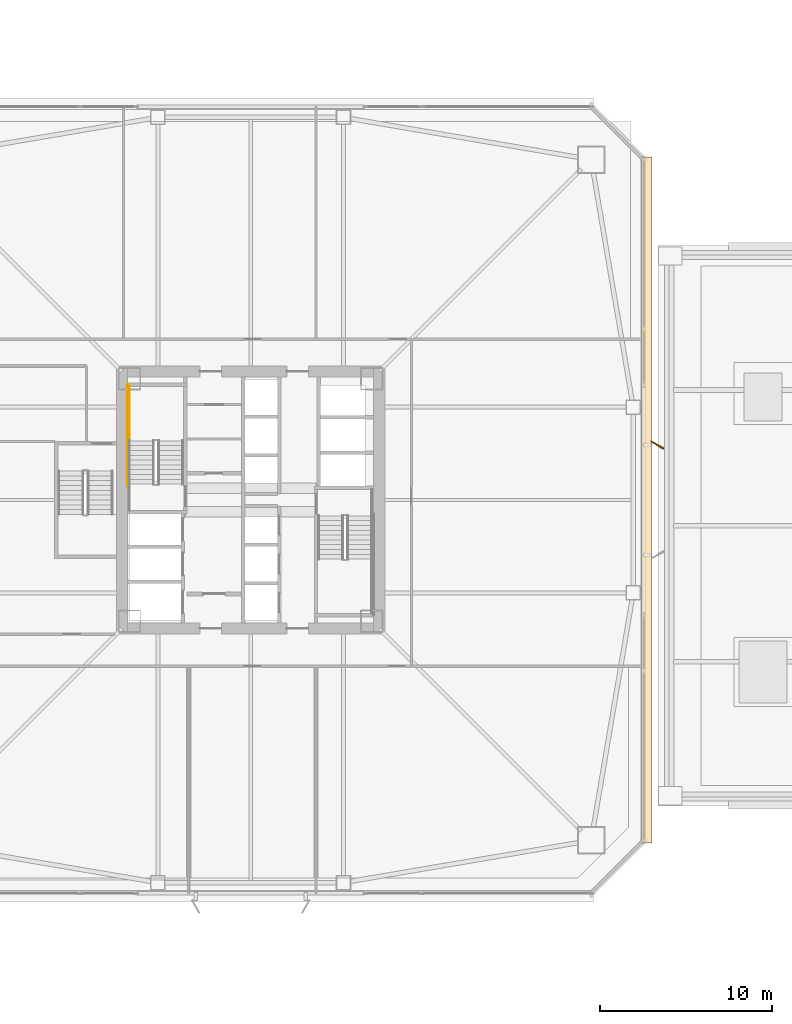
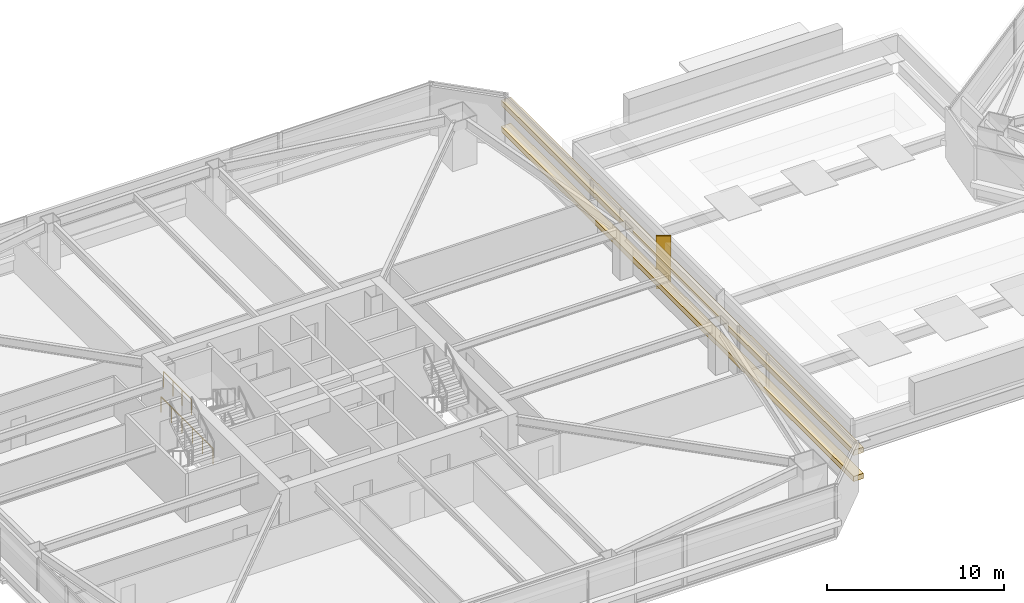
# One storey, part 55 of 62: 2 coverings, 2 railings, 1 shading device.
"""IFC4 building model written with IfcOpenShell, lengths in metres."""

from ifc_helpers import new_model, si_unit, direction, frame, origin, origin_2d, place, context, subcontext, project, spatial, rectangle, extrude, material, layer, layer_set, type_object, element, save


model = new_model("IFC4")

# Units and contexts
model_context = context("Model", 3, precision=1e-05, world=origin(), true_north=direction((0.0, 1.0)))
body_context = subcontext(model_context, "Body", "Model", "MODEL_VIEW")
ifc_project = project(units=[si_unit("LENGTHUNIT", "METRE"), si_unit("AREAUNIT", "SQUARE_METRE"), si_unit("VOLUMEUNIT", "CUBIC_METRE"), si_unit("PLANEANGLEUNIT", "RADIAN"), si_unit("MASSUNIT", "GRAM", prefix="KILO")], contexts=[model_context])

# Site, building, storey
site_placement = place(None, origin())
site = spatial("IfcSite", under=ifc_project, at=site_placement, CompositionType="ELEMENT")
building_placement = place(site_placement, origin())
building = spatial("IfcBuilding", under=site, at=building_placement, Name="Tashvorn Skyway Center", CompositionType="ELEMENT")
storey_placement = place(building_placement, frame((0.0, 0.0, 28.14990234375)))
storey = spatial("IfcBuildingStorey", under=building, at=storey_placement, Name="L06", CompositionType="ELEMENT", Elevation=28.14990234375)

# Coverings
ifc_material_1 = material(Name="Perforated ceramic-coated bronze aluminium solar screen", Category="aluminium")
ifc_layer_1 = layer(ifc_material_1, 0.85009765625)
ifc_layer_set_1 = layer_set([ifc_layer_1], Name="Perforated ceramic-coated bronze aluminium solar screen")
covering_type = type_object("IfcCoveringType", Name="COV-SOLAR-BAND", PredefinedType="CLADDING", material=ifc_layer_set_1)
for number, where, z_axis, x_axis, name in (
    (1, (65.02001953125, 32.0, 0.919921875), (0.0, 0.0, 1.0), (0.0, -1.0, 0.0), "L06 Perforated Ceramic-Metal Solar Screen Louvre Band East 1"),
    (2, (65.02001953125, 32.0, 2.72021484375), (0.0, 0.0, 1.0), (0.0, -1.0, 0.0), "L06 Perforated Ceramic-Metal Solar Screen Louvre Band East 2"),
):
    element("IfcCovering", number, at=place(storey_placement, frame(where, z_axis=z_axis, x_axis=x_axis)), inside=storey, type_object=covering_type, Name=name, PredefinedType="CLADDING", context=body_context, shape_type="SweptSolid", body=[
        extrude(rectangle(XDim=39.8798828125, YDim=0.639892578125, at=origin_2d()), origin(), (0.0, 0.0, 1.0), 0.360107421875),
    ])

# Railings
ifc_material_2 = material(Name="Painted galvanized steel S355", Category="steel")
railing_type = type_object("IfcRailingType", Name="RAIL-STGUARD-1100", PredefinedType="GUARDRAIL", material=ifc_material_2)
railing_1_placement = place(storey_placement, frame((34.949951171875, 35.43994140625, 1.775146484375)))
element("IfcRailing", 3, at=railing_1_placement, inside=storey, type_object=railing_type, Name="L06 ST-T1-1 stair guard 3", PredefinedType="GUARDRAIL", context=body_context, shape_type="SweptSolid", body=[
    extrude(rectangle(XDim=0.048095703125, YDim=0.048095703125, at=origin_2d()), frame((0.0, 0.0, 1.076171875), z_axis=(0.0, 1.0, 0.0), x_axis=(-1.0, 0.0, 0.0)), (0.0, 0.0, 1.0), 3.16015625),
    extrude(rectangle(XDim=0.0419921875, YDim=0.0419921875, at=origin_2d()), origin(), (0.0, 0.0, 1.0), 1.052001953125),
    extrude(rectangle(XDim=0.0419921875, YDim=0.0419921875, at=origin_2d()), frame((0.0, 1.053466796875, 0.0)), (0.0, 0.0, 1.0), 1.052001953125),
    extrude(rectangle(XDim=0.0419921875, YDim=0.0419921875, at=origin_2d()), frame((0.0, 2.106689453125, 0.0)), (0.0, 0.0, 1.0), 1.052001953125),
    extrude(rectangle(XDim=0.0419921875, YDim=0.0419921875, at=origin_2d()), frame((0.0, 3.16015625, 0.0)), (0.0, 0.0, 1.0), 1.052001953125),
])
railing_2_placement = place(storey_placement, frame((34.85009765625, 32.820068359375, 0.0)))
element("IfcRailing", 4, at=railing_2_placement, inside=storey, type_object=railing_type, Name="L06 ST-T1-1 stair guard 7", PredefinedType="GUARDRAIL", context=body_context, shape_type="SweptSolid", body=[
    extrude(rectangle(XDim=0.048095703125, YDim=0.048095703125, at=origin_2d()), frame((0.0, 0.0, 1.076171875), z_axis=(0.0, 1.0, 0.0), x_axis=(-1.0, 0.0, 0.0)), (0.0, 0.0, 1.0), 5.8798828125),
    extrude(rectangle(XDim=0.0419921875, YDim=0.0419921875, at=origin_2d()), origin(), (0.0, 0.0, 1.0), 1.052001953125),
    extrude(rectangle(XDim=0.0419921875, YDim=0.0419921875, at=origin_2d()), frame((0.0, 1.176025390625, 0.0)), (0.0, 0.0, 1.0), 1.052001953125),
    extrude(rectangle(XDim=0.0419921875, YDim=0.0419921875, at=origin_2d()), frame((0.0, 2.35205078125, 0.0)), (0.0, 0.0, 1.0), 1.052001953125),
    extrude(rectangle(XDim=0.0419921875, YDim=0.0419921875, at=origin_2d()), frame((0.0, 3.52783203125, 0.0)), (0.0, 0.0, 1.0), 1.052001953125),
    extrude(rectangle(XDim=0.0419921875, YDim=0.0419921875, at=origin_2d()), frame((0.0, 4.703857421875, 0.0)), (0.0, 0.0, 1.0), 1.052001953125),
    extrude(rectangle(XDim=0.0419921875, YDim=0.0419921875, at=origin_2d()), frame((0.0, 5.8798828125, 0.0)), (0.0, 0.0, 1.0), 1.052001953125),
])

# Shading device
ifc_layer_2 = layer(ifc_material_1, 0.06005859375)
ifc_layer_set_2 = layer_set([ifc_layer_2], Name="Perforated ceramic-coated bronze aluminium solar screen")
shading_device_type = type_object("IfcShadingDeviceType", Name="SHD-SOLAR-850", PredefinedType="USERDEFINED", material=ifc_layer_set_2)
shading_device_placement = place(storey_placement, frame((65.64990234375, 35.199951171875, -0.099853515625), z_axis=(0.0, 0.0, 1.0), x_axis=(-0.5, -0.866025403784, 0.0)))
element("IfcShadingDevice", 5, at=shading_device_placement, inside=storey, type_object=shading_device_type, Name="Tower 1 L06 Perforated Ceramic-Metal Solar Screen E2", ObjectType="SCREEN", PredefinedType="USERDEFINED", context=body_context, shape_type="SweptSolid", body=[
    extrude(rectangle(XDim=0.080078125, YDim=0.85009765625, at=origin_2d()), origin(), (0.0, 0.0, 1.0), 3.64990234375),
])

save(model, "model.ifc")
